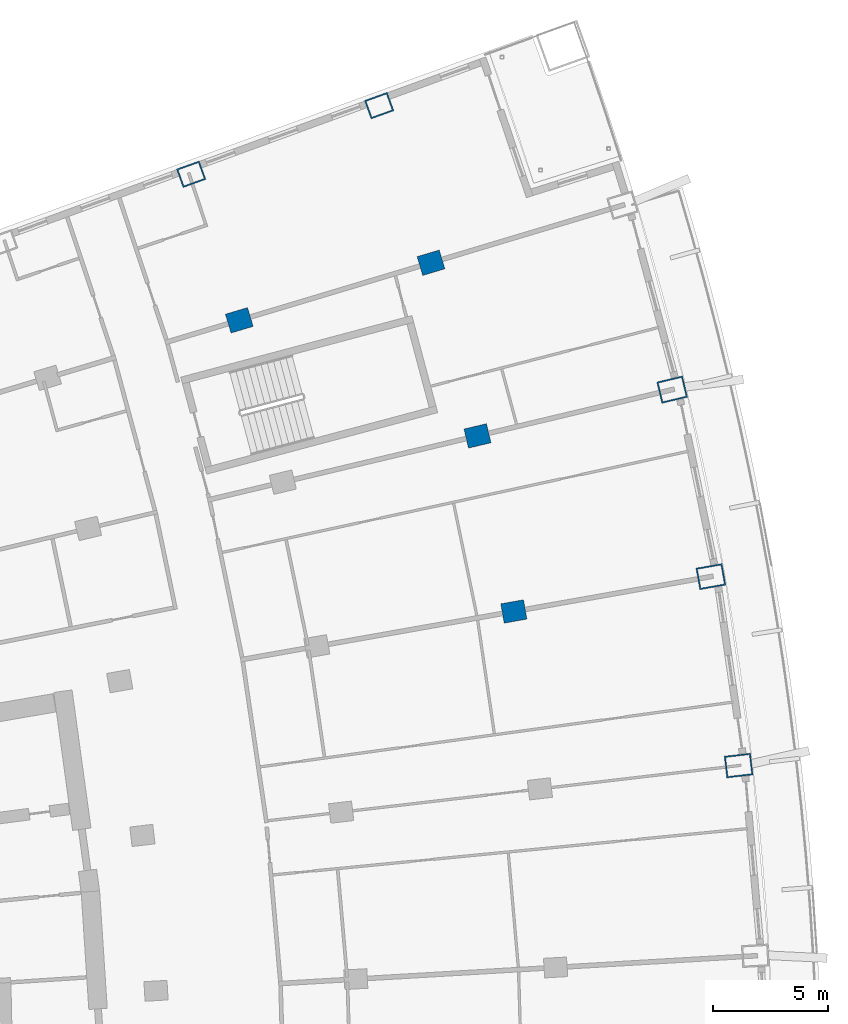
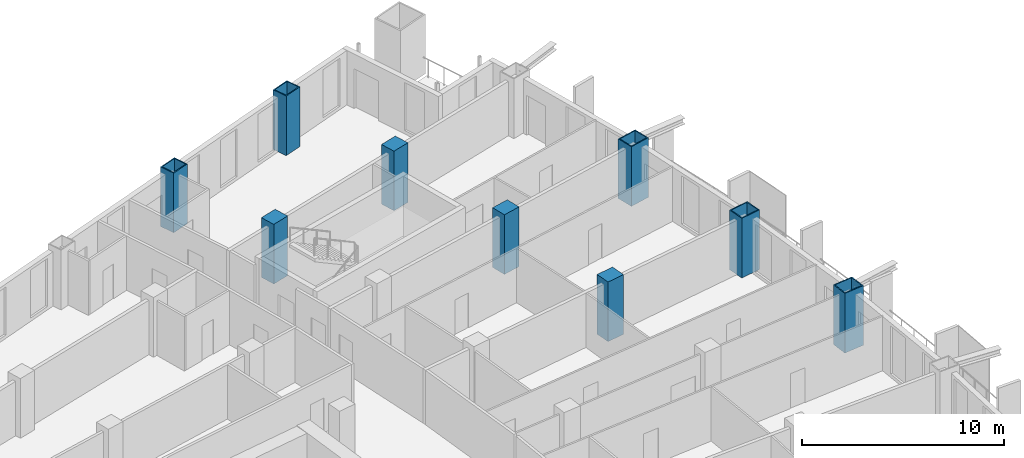
# One storey, part 10 of 25: 9 columns.
"""IFC4 building model written with IfcOpenShell, lengths in metres."""

from ifc_helpers import new_model, si_unit, direction, frame, origin, origin_2d, place, context, subcontext, project, spatial, rectangle, hollow_rectangle, extrude, material, material_profile, profile_set, type_object, element, save


model = new_model("IFC4")

# Units and contexts
model_context = context("Model", 3, precision=1e-05, world=origin(), true_north=direction((0.0, 1.0)))
body_context = subcontext(model_context, "Body", "Model", "MODEL_VIEW")
ifc_project = project(units=[si_unit("LENGTHUNIT", "METRE"), si_unit("AREAUNIT", "SQUARE_METRE"), si_unit("VOLUMEUNIT", "CUBIC_METRE"), si_unit("PLANEANGLEUNIT", "RADIAN"), si_unit("MASSUNIT", "GRAM", prefix="KILO")], contexts=[model_context])

# Site, building, storey
site_placement = place(None, origin())
site = spatial("IfcSite", under=ifc_project, at=site_placement, CompositionType="ELEMENT")
building_placement = place(site_placement, origin())
building = spatial("IfcBuilding", under=site, at=building_placement, Name="Alderwake Tower", CompositionType="ELEMENT")
storey_placement = place(building_placement, frame((0.0, 0.0, 86.0)))
storey = spatial("IfcBuildingStorey", under=building, at=storey_placement, Name="L20", CompositionType="ELEMENT", Elevation=86.0)

# Columns
ifc_material_1 = material(Name="Steel ASTM A572 Grade 50 concrete filled C70/85", Category="concrete")
ifc_material_profile_1 = material_profile(ifc_material_1, hollow_rectangle(XDim=0.85009765625, YDim=1.050048828125, WallThickness=0.06005859375, at=origin_2d()), Name="BOX 1050X850X60")
ifc_profile_set_1 = profile_set([ifc_material_profile_1], Name="Steel ASTM A572 Grade 50 concrete filled C70/85")
column_type_1 = type_object("IfcColumnType", Name="End column Z2", PredefinedType="COLUMN", material=ifc_profile_set_1)
for number, where, z_axis, x_axis, name in (
    (1, (37.125, 103.115234375, 0.0), (0.0, 0.0, 1.0), (-0.338365126362, 0.941014899596, 0.0), "Column R13-C3"),
    (2, (45.266357421875, 106.0869140625, 0.0), (0.0, 0.0, 1.0), (-0.338660738209, 0.940908552621, 0.0), "Column R13-C4"),
):
    element("IfcColumn", number, at=place(storey_placement, frame(where, z_axis=z_axis, x_axis=x_axis)), inside=storey, type_object=column_type_1, Name=name, PredefinedType="COLUMN", context=body_context, shape_type="SweptSolid", body=[
        extrude(hollow_rectangle(XDim=0.85009765625, YDim=1.050048828125, WallThickness=0.06005859375, at=origin_2d()), origin(), (0.0, 0.0, 1.0), 3.60009765625),
    ])
ifc_material_2 = material(Name="Concrete C70/85", Category="concrete")
ifc_material_profile_2 = material_profile(ifc_material_2, rectangle(XDim=0.85009765625, YDim=1.0, at=origin_2d()), Name="RC 1000X850")
ifc_profile_set_2 = profile_set([ifc_material_profile_2], Name="Concrete C70/85")
column_type_2 = type_object("IfcColumnType", Name="Interior column Z2", PredefinedType="COLUMN", material=ifc_profile_set_2)
for number, where, z_axis, x_axis, name in (
    (3, (51.099853515625, 84.1796875, 0.0), (0.0, 0.0, 1.0), (-0.174108800747, 0.984726421654, 0.0), "Column R10-C4"),
    (4, (49.525390625, 91.783203125, 0.0), (0.0, 0.0, 1.0), (-0.231221547198, 0.972901123502, 0.0), "Column R11-C4"),
    (5, (39.2099609375, 96.790283203125, 0.0), (0.0, 0.0, 1.0), (-0.287549418125, 0.957765802342, 0.0), "Column R12-C3"),
    (6, (47.510498046875, 99.2822265625, 0.0), (0.0, 0.0, 1.0), (-0.287549418125, 0.957765802342, 0.0), "Column R12-C4"),
):
    element("IfcColumn", number, at=place(storey_placement, frame(where, z_axis=z_axis, x_axis=x_axis)), inside=storey, type_object=column_type_2, Name=name, PredefinedType="COLUMN", context=body_context, shape_type="SweptSolid", body=[
        extrude(rectangle(XDim=0.85009765625, YDim=1.0, at=origin_2d()), origin(), (0.0, 0.0, 1.0), 3.60009765625),
    ])
ifc_material_3 = material(Name="Steel ASTM A572 Grade 50 concrete filled C70/85", Category="concrete")
ifc_material_profile_3 = material_profile(ifc_material_3, hollow_rectangle(XDim=0.949951171875, YDim=1.14990234375, WallThickness=0.06005859375, at=origin_2d()), Name="BOX 1150X950X60")
ifc_profile_set_3 = profile_set([ifc_material_profile_3], Name="Steel ASTM A572 Grade 50 concrete filled C70/85")
column_type_3 = type_object("IfcColumnType", Name="Perimeter column Z2", PredefinedType="COLUMN", material=ifc_profile_set_3)
for number, where, z_axis, x_axis, name in (
    (7, (60.836181640625, 77.505859375, 0.0), (0.0, 0.0, 1.0), (-0.116402054316, 0.993202175668, 0.0), "Column R09-C5"),
    (8, (59.63427734375, 85.6884765625, 0.0), (0.0, 0.0, 1.0), (-0.174107082075, 0.984726725529, 0.0), "Column R10-C5"),
    (9, (57.95751953125, 93.787353515625, 0.0), (0.0, 0.0, 1.0), (-0.231221547198, 0.972901123502, 0.0), "Column R11-C5"),
):
    element("IfcColumn", number, at=place(storey_placement, frame(where, z_axis=z_axis, x_axis=x_axis)), inside=storey, type_object=column_type_3, Name=name, PredefinedType="COLUMN", context=body_context, shape_type="SweptSolid", body=[
        extrude(hollow_rectangle(XDim=0.949951171875, YDim=1.14990234375, WallThickness=0.06005859375, at=origin_2d()), origin(), (0.0, 0.0, 1.0), 3.60009765625),
    ])

save(model, "model.ifc")
